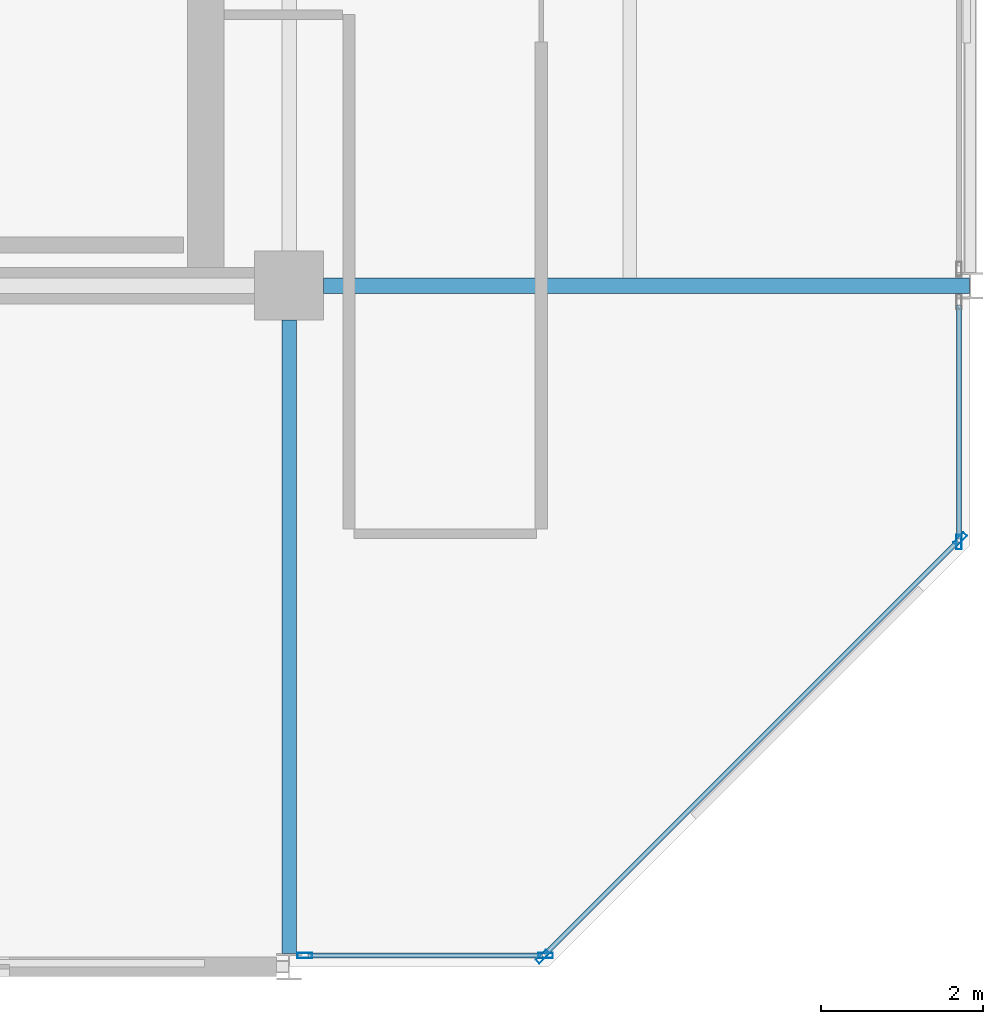
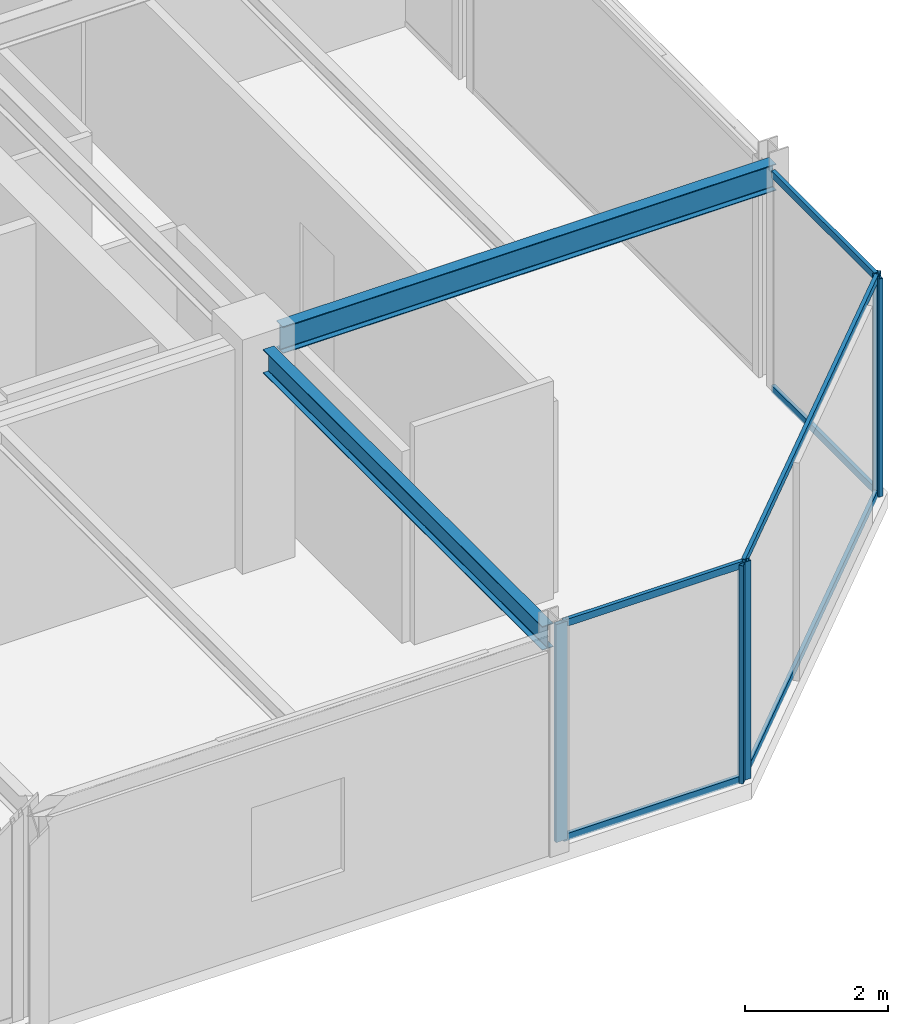
# One storey, part 14 of 26: 11 members, 2 beams, 3 elements without a shape of their own.
"""IFC4 building model written with IfcOpenShell, lengths in metres."""

from ifc_helpers import new_model, si_unit, direction, frame, origin, origin_2d, place, context, subcontext, project, spatial, hollow_rectangle, i_section, extrude, material, layer, layer_set, material_profile, profile_set, type_object, element, aggregate, save


model = new_model("IFC4")

# Units and contexts
model_context = context("Model", 3, precision=1e-05, world=origin(), true_north=direction((0.0, 1.0)))
body_context = subcontext(model_context, "Body", "Model", "MODEL_VIEW")
ifc_project = project(units=[si_unit("LENGTHUNIT", "METRE"), si_unit("AREAUNIT", "SQUARE_METRE"), si_unit("VOLUMEUNIT", "CUBIC_METRE"), si_unit("PLANEANGLEUNIT", "RADIAN"), si_unit("MASSUNIT", "GRAM", prefix="KILO")], contexts=[model_context])

# Site, building, storey
site_placement = place(None, origin())
site = spatial("IfcSite", under=ifc_project, at=site_placement, CompositionType="ELEMENT")
building_placement = place(site_placement, origin())
building = spatial("IfcBuilding", under=site, at=building_placement, Name="Nerrivon Quay Data Exchange", CompositionType="ELEMENT")
storey_placement = place(building_placement, frame((0.0, 0.0, 258.199951171875)))
storey = spatial("IfcBuildingStorey", under=building, at=storey_placement, Name="L61", CompositionType="ELEMENT", Elevation=258.199951171875)

# Beams
ifc_material_1 = material(Name="Steel Grade 350", Category="steel")
ifc_material_profile_1 = material_profile(ifc_material_1, i_section(OverallWidth=0.18994140625, OverallDepth=0.4541015625, WebThickness=0.008544921875, FlangeThickness=0.0126953125, FilletRadius=0.011474609375, at=origin_2d()), Name="460UB67.1")
ifc_profile_set_1 = profile_set([ifc_material_profile_1], Name="Steel Grade 350")
beam_type_1 = type_object("IfcBeamType", Name="BM-G6-460UB67", PredefinedType="BEAM", material=ifc_profile_set_1)
beam_1_placement = place(storey_placement, frame((34.02490234375, 8.39990234375, 3.498046875), z_axis=(1.0, 0.0, 0.0), x_axis=(0.0, 1.0, 0.0)))
element("IfcBeam", 1, at=beam_1_placement, inside=storey, type_object=beam_type_1, Name="L61 EW Girder Y=8.4 (33.6..42.0)", PredefinedType="BEAM", context=body_context, shape_type="SweptSolid", body=[
    extrude(i_section(OverallWidth=0.18994140625, OverallDepth=0.4541015625, WebThickness=0.008544921875, FlangeThickness=0.0126953125, FilletRadius=0.011474609375, at=origin_2d()), origin(), (0.0, 0.0, 1.0), 7.96728515625),
])
ifc_material_profile_2 = material_profile(ifc_material_1, i_section(OverallWidth=0.177978515625, OverallDepth=0.406005859375, WebThickness=0.0078125, FlangeThickness=0.0126953125, FilletRadius=0.011474609375, at=origin_2d()), Name="410UB59.7")
ifc_profile_set_2 = profile_set([ifc_material_profile_2], Name="Steel Grade 350")
beam_type_2 = type_object("IfcBeamType", Name="BM-J1-410UB60", PredefinedType="JOIST", material=ifc_profile_set_2)
beam_2_placement = place(storey_placement, frame((33.60009765625, 0.16357421875, 3.52197265625), z_axis=(0.0, 1.0, 0.0), x_axis=(-1.0, 0.0, 0.0)))
element("IfcBeam", 2, at=beam_2_placement, inside=storey, type_object=beam_type_2, Name="L61 NS Girder X=33.6 (0.0..8.4)", PredefinedType="JOIST", context=body_context, shape_type="SweptSolid", body=[
    extrude(i_section(OverallWidth=0.177978515625, OverallDepth=0.406005859375, WebThickness=0.0078125, FlangeThickness=0.0126953125, FilletRadius=0.011474609375, at=origin_2d()), origin(), (0.0, 0.0, 1.0), 7.8115234375),
])

# Curtain wall, members
ifc_material_2 = material(Name="Anodised aluminium 6063-T6", Category="aluminium")
ifc_layer = layer(ifc_material_2, 0.195068359375)
ifc_layer_set = layer_set([ifc_layer], Name="Anodised aluminium 6063-T6")
curtain_wall_type = type_object("IfcCurtainWallType", Name="CW-SYS-06", PredefinedType="NOTDEFINED", material=ifc_layer_set)
curtain_wall_1_placement = place(storey_placement, origin())
curtain_wall_1 = element("IfcCurtainWall", 3, at=curtain_wall_1_placement, inside=storey, type_object=curtain_wall_type, Name="L61 Unitised Curtain Wall 1", PredefinedType="NOTDEFINED")
ifc_material_profile_3 = material_profile(ifc_material_2, hollow_rectangle(XDim=0.06494140625, YDim=0.179931640625, WallThickness=0.00341796875, at=origin_2d()), Name="ALU-MULL-180x65")
ifc_profile_set_3 = profile_set([ifc_material_profile_3], Name="Anodised aluminium 6063-T6")
member_type_1 = type_object("IfcMemberType", Name="CWM-180x65", PredefinedType="MULLION", material=ifc_profile_set_3)
member_1_placement = place(storey_placement, frame((41.87451171875, 5.2724609375, 0.0), z_axis=(0.0, 0.0, 1.0), x_axis=(0.707106781187, -0.707106781187, 0.0)))
member_1 = element("IfcMember", 4, at=member_1_placement, type_object=member_type_1, Name="CW06 mullion 1", PredefinedType="MULLION", context=body_context, shape_type="SweptSolid", body=[
    extrude(hollow_rectangle(XDim=0.06494140625, YDim=0.179931640625, WallThickness=0.00341796875, at=origin_2d()), origin(), (0.0, 0.0, 1.0), 3.72509765625),
])
member_2_placement = place(storey_placement, frame((36.7275390625, 0.12548828125, 0.0), z_axis=(0.0, 0.0, 1.0), x_axis=(0.707106781187, -0.707106781187, 0.0)))
member_2 = element("IfcMember", 5, at=member_2_placement, type_object=member_type_1, Name="CW06 mullion 2", PredefinedType="MULLION", context=body_context, shape_type="SweptSolid", body=[
    extrude(hollow_rectangle(XDim=0.06494140625, YDim=0.179931640625, WallThickness=0.00341796875, at=origin_2d()), origin(), (0.0, 0.0, 1.0), 3.72509765625),
])

curtain_wall_2_placement = place(storey_placement, origin())
curtain_wall_2 = element("IfcCurtainWall", 6, at=curtain_wall_2_placement, inside=storey, type_object=curtain_wall_type, Name="L61 Unitised Curtain Wall 2", PredefinedType="NOTDEFINED")
member_3_placement = place(storey_placement, frame((36.762451171875, 0.139892578125, 0.0), z_axis=(0.0, 0.0, 1.0), x_axis=(0.0, -1.0, 0.0)))
member_3 = element("IfcMember", 7, at=member_3_placement, type_object=member_type_1, Name="CW06 mullion 1", PredefinedType="MULLION", context=body_context, shape_type="SweptSolid", body=[
    extrude(hollow_rectangle(XDim=0.06494140625, YDim=0.179931640625, WallThickness=0.00341796875, at=origin_2d()), origin(), (0.0, 0.0, 1.0), 3.72509765625),
])
member_4_placement = place(storey_placement, frame((33.79296875, 0.139892578125, 0.0), z_axis=(0.0, 0.0, 1.0), x_axis=(0.0, -1.0, 0.0)))
member_4 = element("IfcMember", 8, at=member_4_placement, type_object=member_type_1, Name="CW06 mullion 2", PredefinedType="MULLION", context=body_context, shape_type="SweptSolid", body=[
    extrude(hollow_rectangle(XDim=0.06494140625, YDim=0.179931640625, WallThickness=0.00341796875, at=origin_2d()), origin(), (0.0, 0.0, 1.0), 3.72509765625),
])

# Curtain wall, member
curtain_wall_3_placement = place(storey_placement, origin())
curtain_wall_3 = element("IfcCurtainWall", 9, at=curtain_wall_3_placement, inside=storey, type_object=curtain_wall_type, Name="L61 Unitised Curtain Wall 28", PredefinedType="NOTDEFINED")
member_5_placement = place(storey_placement, frame((41.860107421875, 5.237548828125, 0.0), z_axis=(0.0, 0.0, 1.0), x_axis=(1.0, 0.0, 0.0)))
member_5 = element("IfcMember", 10, at=member_5_placement, type_object=member_type_1, Name="CW06 mullion 2", PredefinedType="MULLION", context=body_context, shape_type="SweptSolid", body=[
    extrude(hollow_rectangle(XDim=0.06494140625, YDim=0.179931640625, WallThickness=0.00341796875, at=origin_2d()), origin(), (0.0, 0.0, 1.0), 3.72509765625),
])

# Member
ifc_material_profile_4 = material_profile(ifc_material_2, hollow_rectangle(XDim=0.06005859375, YDim=0.1201171875, WallThickness=0.003173828125, at=origin_2d()), Name="ALU-TRAN-120x60")
ifc_profile_set_4 = profile_set([ifc_material_profile_4], Name="Anodised aluminium 6063-T6")
member_type_2 = type_object("IfcMemberType", Name="CWT-120x60", PredefinedType="USERDEFINED", material=ifc_profile_set_4)
member_6_placement = place(storey_placement, frame((41.847900390625, 5.245849609375, 0.032470703125), z_axis=(-0.707106781187, -0.707106781187, 0.0), x_axis=(0.707106781187, -0.707106781187, 0.0)))
member_6 = element("IfcMember", 11, at=member_6_placement, type_object=member_type_2, Name="CW06 transom 1.1", ObjectType="TRANSOM", PredefinedType="USERDEFINED", context=body_context, shape_type="SweptSolid", body=[
    extrude(hollow_rectangle(XDim=0.06005859375, YDim=0.1201171875, WallThickness=0.003173828125, at=origin_2d()), origin(), (0.0, 0.0, 1.0), 7.20361328125),
])

member_7_placement = place(storey_placement, frame((41.847900390625, 5.245849609375, 3.692626953125), z_axis=(-0.707106781187, -0.707106781187, 0.0), x_axis=(0.707106781187, -0.707106781187, 0.0)))
member_7 = element("IfcMember", 12, at=member_7_placement, type_object=member_type_2, Name="CW06 transom 1.2", ObjectType="TRANSOM", PredefinedType="USERDEFINED", context=body_context, shape_type="SweptSolid", body=[
    extrude(hollow_rectangle(XDim=0.06005859375, YDim=0.1201171875, WallThickness=0.003173828125, at=origin_2d()), origin(), (0.0, 0.0, 1.0), 7.20361328125),
])

aggregate(curtain_wall_1, [member_1, member_2, member_6, member_7])

member_8_placement = place(storey_placement, frame((36.72509765625, 0.139892578125, 0.032470703125), z_axis=(-1.0, 0.0, 0.0), x_axis=(0.0, -1.0, 0.0)))
member_8 = element("IfcMember", 13, at=member_8_placement, type_object=member_type_2, Name="CW06 transom 1.1", ObjectType="TRANSOM", PredefinedType="USERDEFINED", context=body_context, shape_type="SweptSolid", body=[
    extrude(hollow_rectangle(XDim=0.06005859375, YDim=0.1201171875, WallThickness=0.003173828125, at=origin_2d()), origin(), (0.0, 0.0, 1.0), 2.89453125),
])

member_9_placement = place(storey_placement, frame((36.72509765625, 0.139892578125, 3.692626953125), z_axis=(-1.0, 0.0, 0.0), x_axis=(0.0, -1.0, 0.0)))
member_9 = element("IfcMember", 14, at=member_9_placement, type_object=member_type_2, Name="CW06 transom 1.2", ObjectType="TRANSOM", PredefinedType="USERDEFINED", context=body_context, shape_type="SweptSolid", body=[
    extrude(hollow_rectangle(XDim=0.06005859375, YDim=0.1201171875, WallThickness=0.003173828125, at=origin_2d()), origin(), (0.0, 0.0, 1.0), 2.89453125),
])

aggregate(curtain_wall_2, [member_3, member_4, member_8, member_9])

member_10_placement = place(storey_placement, frame((41.860107421875, 8.16162109375, 0.032470703125), z_axis=(0.0, -1.0, 0.0), x_axis=(1.0, 0.0, 0.0)))
member_10 = element("IfcMember", 15, at=member_10_placement, type_object=member_type_2, Name="CW06 transom 1.1", ObjectType="TRANSOM", PredefinedType="USERDEFINED", context=body_context, shape_type="SweptSolid", body=[
    extrude(hollow_rectangle(XDim=0.06005859375, YDim=0.1201171875, WallThickness=0.003173828125, at=origin_2d()), origin(), (0.0, 0.0, 1.0), 2.88671875),
])

member_11_placement = place(storey_placement, frame((41.860107421875, 8.16162109375, 3.692626953125), z_axis=(0.0, -1.0, 0.0), x_axis=(1.0, 0.0, 0.0)))
member_11 = element("IfcMember", 16, at=member_11_placement, type_object=member_type_2, Name="CW06 transom 1.2", ObjectType="TRANSOM", PredefinedType="USERDEFINED", context=body_context, shape_type="SweptSolid", body=[
    extrude(hollow_rectangle(XDim=0.06005859375, YDim=0.1201171875, WallThickness=0.003173828125, at=origin_2d()), origin(), (0.0, 0.0, 1.0), 2.88671875),
])

aggregate(curtain_wall_3, [member_5, member_10, member_11])

save(model, "model.ifc")
